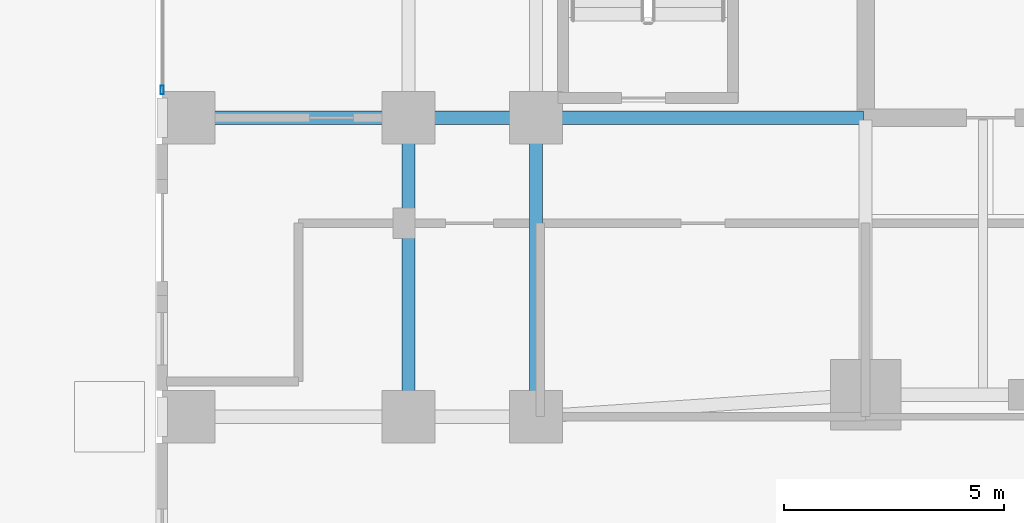
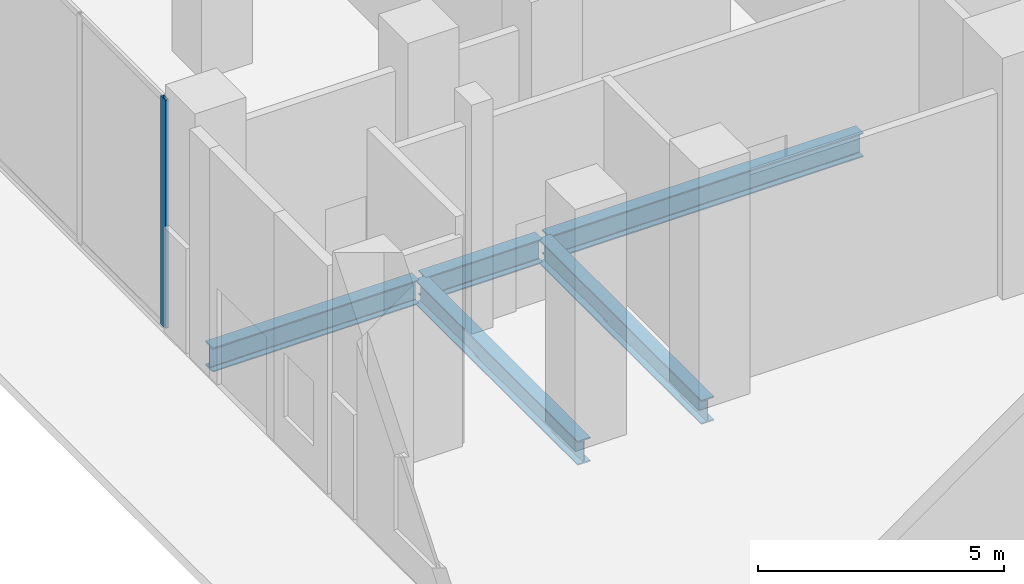
# One storey, part 5 of 26: 5 beams, 1 member, 1 element without a shape of its own.
"""IFC4 building model written with IfcOpenShell, lengths in metres."""

from ifc_helpers import new_model, si_unit, direction, frame, origin, origin_2d, place, context, subcontext, project, spatial, hollow_rectangle, i_section, extrude, material, layer, layer_set, material_profile, profile_set, type_object, element, aggregate, save


model = new_model("IFC4")

# Units and contexts
model_context = context("Model", 3, precision=1e-05, world=origin(), true_north=direction((0.0, 1.0)))
body_context = subcontext(model_context, "Body", "Model", "MODEL_VIEW")
ifc_project = project(units=[si_unit("LENGTHUNIT", "METRE"), si_unit("AREAUNIT", "SQUARE_METRE"), si_unit("VOLUMEUNIT", "CUBIC_METRE"), si_unit("PLANEANGLEUNIT", "RADIAN"), si_unit("MASSUNIT", "GRAM", prefix="KILO")], contexts=[model_context])

# Site, building, storey
site_placement = place(None, origin())
site = spatial("IfcSite", under=ifc_project, at=site_placement, CompositionType="ELEMENT")
building_placement = place(site_placement, origin())
building = spatial("IfcBuilding", under=site, at=building_placement, Name="Catumbela Crestline Tower", CompositionType="ELEMENT")
storey_placement = place(building_placement, origin())
storey = spatial("IfcBuildingStorey", under=building, at=storey_placement, Name="L00", CompositionType="ELEMENT", Elevation=0.0)

# Beams
ifc_material_1 = material(Name="Structural steel S355J2", Category="steel")
ifc_material_profile_1 = material_profile(ifc_material_1, i_section(OverallWidth=0.3, OverallDepth=0.6, WebThickness=0.0155, FlangeThickness=0.03, FilletRadius=0.027, at=origin_2d()), Name="HEB 600")
ifc_profile_set_1 = profile_set([ifc_material_profile_1], Name="Structural steel S355J2")
beam_type = type_object("IfcBeamType", Name="BG-HEB600", PredefinedType="BEAM", material=ifc_profile_set_1)
beam_1_placement = place(storey_placement, frame((0.68, 30.8, -0.62), z_axis=(1.0, 0.0, 0.0), x_axis=(0.0, 1.0, 0.0)))
element("IfcBeam", 1, at=beam_1_placement, inside=storey, type_object=beam_type, Name="L00 Beam BM-L00-M07", PredefinedType="BEAM", context=body_context, shape_type="SweptSolid", body=[
    extrude(i_section(OverallWidth=0.3, OverallDepth=0.6, WebThickness=0.0155, FlangeThickness=0.03, FilletRadius=0.027, at=origin_2d()), origin(), (0.0, 0.0, 1.0), 4.84),
])
beam_2_placement = place(storey_placement, frame((5.68, 30.8, -0.62), z_axis=(1.0, 0.0, 0.0), x_axis=(0.0, 1.0, 0.0)))
element("IfcBeam", 2, at=beam_2_placement, inside=storey, type_object=beam_type, Name="L00 Beam BM-L00-M08", PredefinedType="BEAM", context=body_context, shape_type="SweptSolid", body=[
    extrude(i_section(OverallWidth=0.3, OverallDepth=0.6, WebThickness=0.0155, FlangeThickness=0.03, FilletRadius=0.027, at=origin_2d()), origin(), (0.0, 0.0, 1.0), 2.74),
])
beam_3_placement = place(storey_placement, frame((8.58, 30.8, -0.62), z_axis=(1.0, 0.0, 0.0), x_axis=(0.0, 1.0, 0.0)))
element("IfcBeam", 3, at=beam_3_placement, inside=storey, type_object=beam_type, Name="L00 Beam BM-L00-M09", PredefinedType="BEAM", context=body_context, shape_type="SweptSolid", body=[
    extrude(i_section(OverallWidth=0.3, OverallDepth=0.6, WebThickness=0.0155, FlangeThickness=0.03, FilletRadius=0.027, at=origin_2d()), origin(), (0.0, 0.0, 1.0), 7.37),
])
for number, where, z_axis, x_axis, name in (
    (4, (5.6, 24.08, -0.62), (0.0, 1.0, 0.0), (-1.0, 0.0, 0.0), "L00 Beam BM-L00-SN23"),
    (5, (8.5, 24.08, -0.62), (0.0, 1.0, 0.0), (-1.0, 0.0, 0.0), "L00 Beam BM-L00-SN25"),
):
    element("IfcBeam", number, at=place(storey_placement, frame(where, z_axis=z_axis, x_axis=x_axis)), inside=storey, type_object=beam_type, Name=name, PredefinedType="BEAM", context=body_context, shape_type="SweptSolid", body=[
        extrude(i_section(OverallWidth=0.3, OverallDepth=0.6, WebThickness=0.0155, FlangeThickness=0.03, FilletRadius=0.027, at=origin_2d()), origin(), (0.0, 0.0, 1.0), 6.64),
    ])

# Curtain wall, member
ifc_material_2 = material(Name="Aluminium alloy AW-6060-T66", Category="aluminium")
ifc_layer = layer(ifc_material_2, 0.18, Name="Aluminium alloy AW-6060-T66")
ifc_layer_set = layer_set([ifc_layer], Name="Aluminium alloy AW-6060-T66")
curtain_wall_type = type_object("IfcCurtainWallType", Name="CWS-POD", PredefinedType="USERDEFINED", material=ifc_layer_set)
curtain_wall_placement = place(storey_placement, origin())
curtain_wall = element("IfcCurtainWall", 6, at=curtain_wall_placement, inside=storey, type_object=curtain_wall_type, Name="L00 Stick Curtain Wall CW-L00-E9S2", ObjectType="STICK", PredefinedType="USERDEFINED")
ifc_material_profile_2 = material_profile(ifc_material_2, hollow_rectangle(XDim=0.075, YDim=0.2, WallThickness=0.005, at=origin_2d()), Name="ALU 200x75x5")
ifc_profile_set_2 = profile_set([ifc_material_profile_2], Name="Aluminium alloy AW-6060-T66")
member_type = type_object("IfcMemberType", Name="MUL-200X75", PredefinedType="MULLION", material=ifc_profile_set_2)
member_placement = place(storey_placement, frame((0.0, 31.4325, 0.0), z_axis=(0.0, 0.0, 1.0), x_axis=(1.0, 0.0, 0.0)))
member = element("IfcMember", 7, at=member_placement, type_object=member_type, Name="CWS-POD mullion 4", PredefinedType="MULLION", context=body_context, shape_type="SweptSolid", body=[
    extrude(hollow_rectangle(XDim=0.075, YDim=0.2, WallThickness=0.005, at=origin_2d()), origin(), (0.0, 0.0, 1.0), 5.67),
])
aggregate(curtain_wall, [member])

save(model, "model.ifc")
